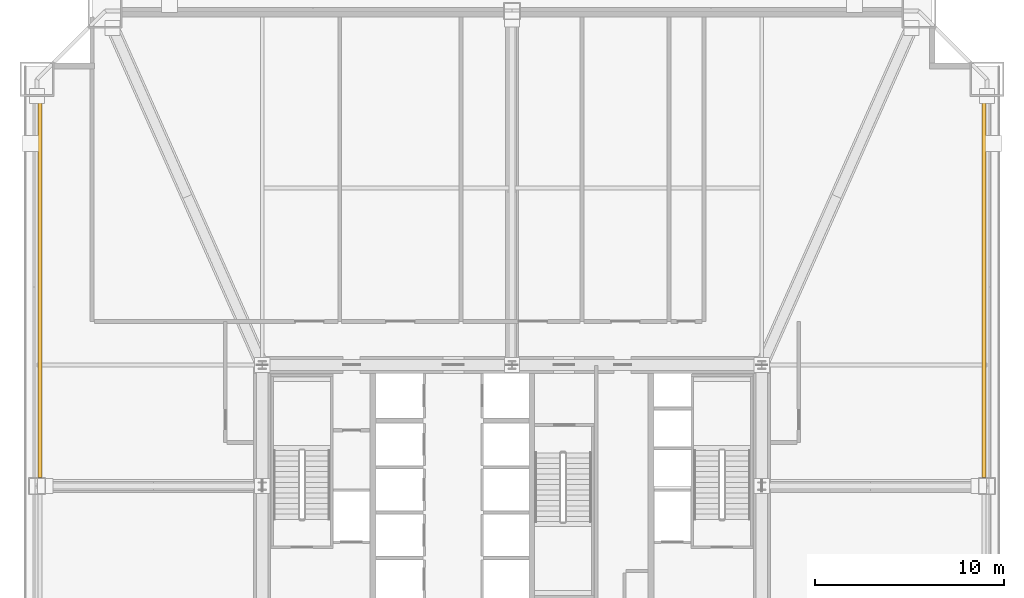
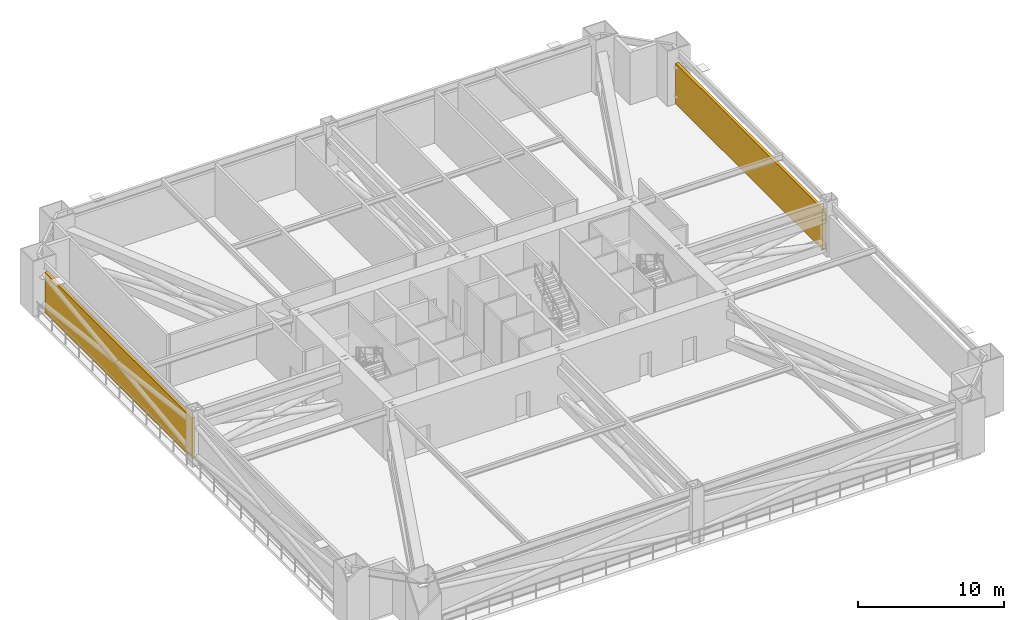
# One storey, part 11 of 11: 2 shading devices.
"""IFC4 building model written with IfcOpenShell, lengths in metres."""

from ifc_helpers import new_model, si_unit, direction, frame, origin, origin_2d, place, context, subcontext, project, spatial, rectangle, extrude, source, transform, mapped, material, layer, layer_set, type_object, element, save


model = new_model("IFC4")

# Units and contexts
model_context = context("Model", 3, precision=1e-05, world=origin(), true_north=direction((0.0, 1.0)))
body_context = subcontext(model_context, "Body", "Model", "MODEL_VIEW")
ifc_project = project(units=[si_unit("LENGTHUNIT", "METRE"), si_unit("AREAUNIT", "SQUARE_METRE"), si_unit("VOLUMEUNIT", "CUBIC_METRE"), si_unit("PLANEANGLEUNIT", "RADIAN"), si_unit("MASSUNIT", "GRAM", prefix="KILO"), si_unit("THERMODYNAMICTEMPERATUREUNIT", "KELVIN"), si_unit("POWERUNIT", "WATT")], contexts=[model_context])

# Site, building, storey
site_placement = place(None, origin())
site = spatial("IfcSite", under=ifc_project, at=site_placement, CompositionType="ELEMENT")
building_placement = place(site_placement, origin())
building = spatial("IfcBuilding", under=site, at=building_placement, Name="Yuzanri Waterfront Tower", CompositionType="ELEMENT")
storey_placement = place(building_placement, frame((0.0, 0.0, 41.39990234375)))
storey = spatial("IfcBuildingStorey", under=building, at=storey_placement, Name="L10", CompositionType="ELEMENT", Elevation=41.39990234375)

# Shading devices
ifc_material = material(Name="Anodized Architectural Bronze", Category="metal")
ifc_layer = layer(ifc_material, 0.219970703125)
ifc_layer_set = layer_set([ifc_layer], Name="Anodized Architectural Bronze")
shading_device_type = type_object("IfcShadingDeviceType", Name="Anodized Bronze Refuge Wind-Diffusing Louvre Screen 220", PredefinedType="USERDEFINED", material=ifc_layer_set)
shared_shape = source(origin(), body_context, "Body", "SweptSolid", [
    extrude(rectangle(XDim=0.219970703125, YDim=20.14990234375, at=origin_2d()), origin(), (0.0, 0.0, 1.0), 3.39990234375),
])
for number, where, z_axis, x_axis, name in (
    (1, (12.050048828125, 36.324951171875, 0.000244140625), (0.0, 0.0, 1.0), (1.0, 0.0, 0.0), "L10 Wind-Diffusing Refuge Louvre WR"),
    (2, (61.949951171875, 36.324951171875, 0.000244140625), (0.0, 0.0, 1.0), (1.0, 0.0, 0.0), "L10 Wind-Diffusing Refuge Louvre ER"),
):
    element("IfcShadingDevice", number, at=place(storey_placement, frame(where, z_axis=z_axis, x_axis=x_axis)), inside=storey, type_object=shading_device_type, Name=name, ObjectType="LOUVRE", PredefinedType="USERDEFINED", context=body_context, shape_type="MappedRepresentation", body=[
        mapped(shared_shape, transform((0.0, 0.0, 0.0), scale=1.0)),
    ])

save(model, "model.ifc")
